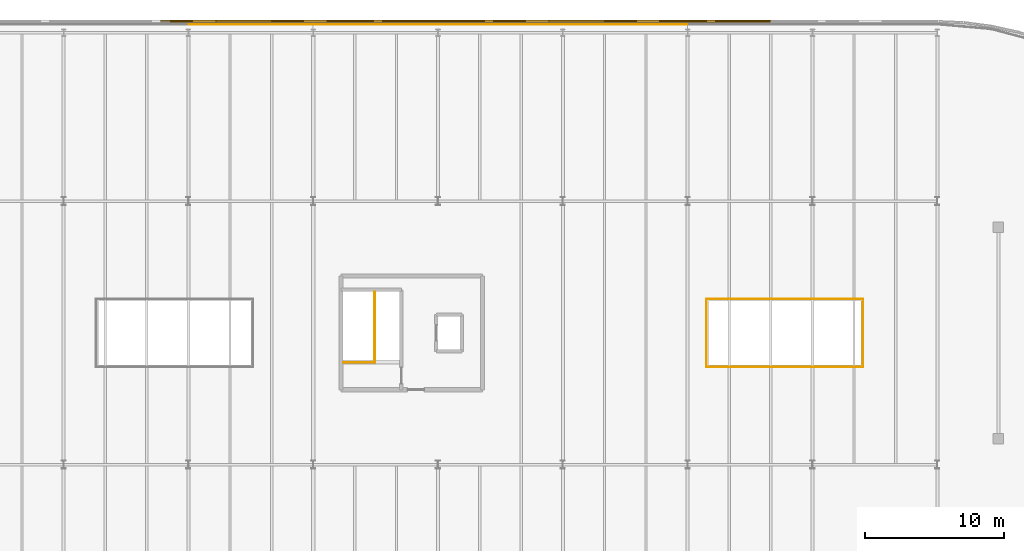
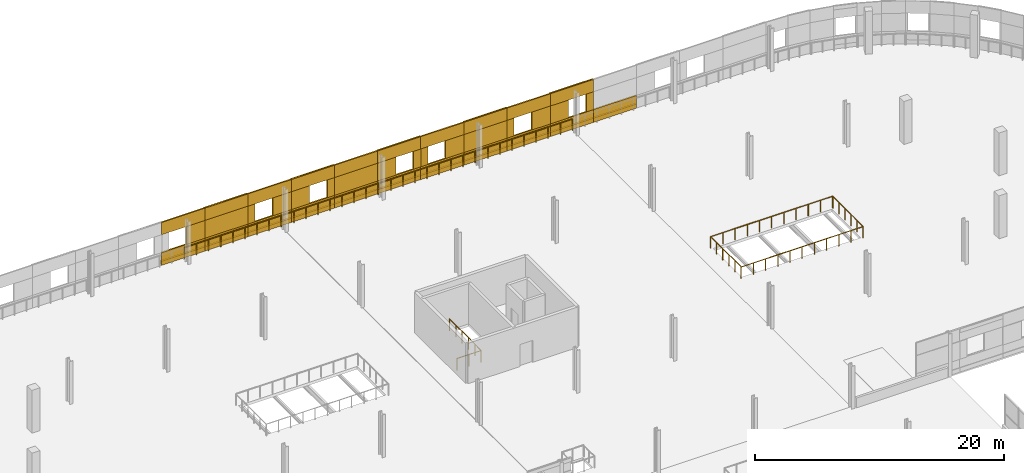
# One storey, part 83 of 88: 53 coverings, 7 railings.
"""IFC4 building model written with IfcOpenShell, lengths in metres."""

from ifc_helpers import new_model, si_unit, direction, frame, origin, origin_2d, place, context, subcontext, project, spatial, rectangle, circle, extrude, material, layer, layer_set, type_object, element, save


model = new_model("IFC4")

# Units and contexts
model_context = context("Model", 3, precision=1e-05, world=origin(), true_north=direction((0.0, 1.0)))
body_context = subcontext(model_context, "Body", "Model", "MODEL_VIEW")
ifc_project = project(units=[si_unit("LENGTHUNIT", "METRE"), si_unit("AREAUNIT", "SQUARE_METRE"), si_unit("VOLUMEUNIT", "CUBIC_METRE"), si_unit("PLANEANGLEUNIT", "RADIAN"), si_unit("MASSUNIT", "GRAM", prefix="KILO")], contexts=[model_context])

# Site, building, storey
site_placement = place(None, origin())
site = spatial("IfcSite", under=ifc_project, at=site_placement, CompositionType="ELEMENT")
building_placement = place(site_placement, origin())
building = spatial("IfcBuilding", under=site, at=building_placement, Name="Deido Ridge Mobility Hub", CompositionType="ELEMENT")
storey_placement = place(building_placement, frame((0.0, 0.0, 16.800048828125)))
storey = spatial("IfcBuildingStorey", under=building, at=storey_placement, Name="L04", CompositionType="ELEMENT", Elevation=16.800048828125)

# Coverings
ifc_material_1 = material(Name="Fired clay brick masonry", Category="masonry")
ifc_layer = layer(ifc_material_1, 0.114990234375, Name="Fired clay brick masonry")
ifc_layer_set = layer_set([ifc_layer], Name="Fired clay brick masonry")
covering_type = type_object("IfcCoveringType", Name="COV-BRK-SCREEN-115", PredefinedType="CLADDING", material=ifc_layer_set)
covering_1_placement = place(storey_placement, frame((103.0, 125.947509765625, 0.0), z_axis=(0.0, 0.0, 1.0), x_axis=(-1.0, 0.0, 0.0)))
element("IfcCovering", 1, at=covering_1_placement, inside=storey, type_object=covering_type, Name="Open brickwork spandrel course BKS1 (L04)", PredefinedType="CLADDING", context=body_context, shape_type="SweptSolid", body=[
    extrude(rectangle(XDim=4.01611328125, YDim=0.125, at=origin_2d()), origin(), (0.0, 0.0, 1.0), 1.25),
])
covering_2_placement = place(storey_placement, frame((103.0, 125.97509765625, 0.0), z_axis=(0.0, 0.0, 1.0), x_axis=(-1.0, 0.0, 0.0)))
element("IfcCovering", 2, at=covering_2_placement, inside=storey, type_object=covering_type, Name="Raised brick relief belt BKS1 (L04)", PredefinedType="CLADDING", context=body_context, shape_type="SweptSolid", body=[
    extrude(rectangle(XDim=4.01611328125, YDim=0.179931640625, at=origin_2d()), origin(), (0.0, 0.0, 1.0), 0.39990234375),
])
covering_3_placement = place(storey_placement, frame((99.0, 125.947509765625, 0.0), z_axis=(0.0, 0.0, 1.0), x_axis=(-1.0, 0.0, 0.0)))
element("IfcCovering", 3, at=covering_3_placement, inside=storey, type_object=covering_type, Name="Open brickwork spandrel course BKS1 (L04)", PredefinedType="CLADDING", context=body_context, shape_type="SweptSolid", body=[
    extrude(rectangle(XDim=4.01611328125, YDim=0.125, at=origin_2d()), origin(), (0.0, 0.0, 1.0), 1.25),
])
covering_4_placement = place(storey_placement, frame((99.0, 125.97509765625, 0.0), z_axis=(0.0, 0.0, 1.0), x_axis=(-1.0, 0.0, 0.0)))
element("IfcCovering", 4, at=covering_4_placement, inside=storey, type_object=covering_type, Name="Raised brick relief belt BKS1 (L04)", PredefinedType="CLADDING", context=body_context, shape_type="SweptSolid", body=[
    extrude(rectangle(XDim=4.01611328125, YDim=0.179931640625, at=origin_2d()), origin(), (0.0, 0.0, 1.0), 0.39990234375),
])
covering_5_placement = place(storey_placement, frame((99.0, 125.947509765625, 3.0), z_axis=(0.0, 0.0, 1.0), x_axis=(-1.0, 0.0, 0.0)))
element("IfcCovering", 5, at=covering_5_placement, inside=storey, type_object=covering_type, Name="Open brickwork lintel course BKS1 (L04)", PredefinedType="CLADDING", context=body_context, shape_type="SweptSolid", body=[
    extrude(rectangle(XDim=4.01611328125, YDim=0.125, at=origin_2d()), origin(), (0.0, 0.0, 1.0), 1.199951171875),
])
covering_6_placement = place(storey_placement, frame((99.0, 125.97509765625, 3.83984375), z_axis=(0.0, 0.0, 1.0), x_axis=(-1.0, 0.0, 0.0)))
element("IfcCovering", 6, at=covering_6_placement, inside=storey, type_object=covering_type, Name="Raised brick relief cornice BKS1 (L04)", PredefinedType="CLADDING", context=body_context, shape_type="SweptSolid", body=[
    extrude(rectangle(XDim=4.01611328125, YDim=0.179931640625, at=origin_2d()), origin(), (0.0, 0.0, 1.0), 0.360107421875),
])
covering_7_placement = place(storey_placement, frame((100.672607421875, 125.97509765625, 1.25), z_axis=(0.0, 0.0, 1.0), x_axis=(-1.0, 0.0, 0.0)))
element("IfcCovering", 7, at=covering_7_placement, inside=storey, type_object=covering_type, Name="Open brickwork pier BKS1 (L04)", PredefinedType="CLADDING", context=body_context, shape_type="SweptSolid", body=[
    extrude(rectangle(XDim=0.655029296875, YDim=0.179931640625, at=origin_2d()), origin(), (0.0, 0.0, 1.0), 1.75),
])
covering_8_placement = place(storey_placement, frame((97.847412109375, 125.947509765625, 1.25), z_axis=(0.0, 0.0, 1.0), x_axis=(-1.0, 0.0, 0.0)))
element("IfcCovering", 8, at=covering_8_placement, inside=storey, type_object=covering_type, Name="Open brickwork pier BKS1 (L04)", PredefinedType="CLADDING", context=body_context, shape_type="SweptSolid", body=[
    extrude(rectangle(XDim=1.695068359375, YDim=0.125, at=origin_2d()), origin(), (0.0, 0.0, 1.0), 1.75),
])
covering_9_placement = place(storey_placement, frame((95.0, 125.947509765625, 0.0), z_axis=(0.0, 0.0, 1.0), x_axis=(-1.0, 0.0, 0.0)))
element("IfcCovering", 9, at=covering_9_placement, inside=storey, type_object=covering_type, Name="Open brickwork spandrel course BKS1 (L04)", PredefinedType="CLADDING", context=body_context, shape_type="SweptSolid", body=[
    extrude(rectangle(XDim=4.01611328125, YDim=0.125, at=origin_2d()), origin(), (0.0, 0.0, 1.0), 1.25),
])
covering_10_placement = place(storey_placement, frame((95.0, 125.97509765625, 0.0), z_axis=(0.0, 0.0, 1.0), x_axis=(-1.0, 0.0, 0.0)))
element("IfcCovering", 10, at=covering_10_placement, inside=storey, type_object=covering_type, Name="Raised brick relief belt BKS1 (L04)", PredefinedType="CLADDING", context=body_context, shape_type="SweptSolid", body=[
    extrude(rectangle(XDim=4.01611328125, YDim=0.179931640625, at=origin_2d()), origin(), (0.0, 0.0, 1.0), 0.39990234375),
])
covering_11_placement = place(storey_placement, frame((95.0, 125.947509765625, 3.0), z_axis=(0.0, 0.0, 1.0), x_axis=(-1.0, 0.0, 0.0)))
element("IfcCovering", 11, at=covering_11_placement, inside=storey, type_object=covering_type, Name="Open brickwork lintel course BKS1 (L04)", PredefinedType="CLADDING", context=body_context, shape_type="SweptSolid", body=[
    extrude(rectangle(XDim=4.01611328125, YDim=0.125, at=origin_2d()), origin(), (0.0, 0.0, 1.0), 1.199951171875),
])
covering_12_placement = place(storey_placement, frame((96.152587890625, 125.97509765625, 1.25), z_axis=(0.0, 0.0, 1.0), x_axis=(-1.0, 0.0, 0.0)))
element("IfcCovering", 12, at=covering_12_placement, inside=storey, type_object=covering_type, Name="Open brickwork pier BKS1 (L04)", PredefinedType="CLADDING", context=body_context, shape_type="SweptSolid", body=[
    extrude(rectangle(XDim=1.695068359375, YDim=0.179931640625, at=origin_2d()), origin(), (0.0, 0.0, 1.0), 1.75),
])
covering_13_placement = place(storey_placement, frame((93.327392578125, 125.947509765625, 1.25), z_axis=(0.0, 0.0, 1.0), x_axis=(-1.0, 0.0, 0.0)))
element("IfcCovering", 13, at=covering_13_placement, inside=storey, type_object=covering_type, Name="Open brickwork pier BKS1 (L04)", PredefinedType="CLADDING", context=body_context, shape_type="SweptSolid", body=[
    extrude(rectangle(XDim=0.655029296875, YDim=0.125, at=origin_2d()), origin(), (0.0, 0.0, 1.0), 1.75),
])
covering_14_placement = place(storey_placement, frame((91.0, 125.947509765625, 0.0), z_axis=(0.0, 0.0, 1.0), x_axis=(-1.0, 0.0, 0.0)))
element("IfcCovering", 14, at=covering_14_placement, inside=storey, type_object=covering_type, Name="Open brickwork spandrel course BKS1 (L04)", PredefinedType="CLADDING", context=body_context, shape_type="SweptSolid", body=[
    extrude(rectangle(XDim=4.01611328125, YDim=0.125, at=origin_2d()), origin(), (0.0, 0.0, 1.0), 1.25),
])
covering_15_placement = place(storey_placement, frame((91.0, 125.97509765625, 0.0), z_axis=(0.0, 0.0, 1.0), x_axis=(-1.0, 0.0, 0.0)))
element("IfcCovering", 15, at=covering_15_placement, inside=storey, type_object=covering_type, Name="Raised brick relief belt BKS1 (L04)", PredefinedType="CLADDING", context=body_context, shape_type="SweptSolid", body=[
    extrude(rectangle(XDim=4.01611328125, YDim=0.179931640625, at=origin_2d()), origin(), (0.0, 0.0, 1.0), 0.39990234375),
])
covering_16_placement = place(storey_placement, frame((91.0, 125.947509765625, 3.0), z_axis=(0.0, 0.0, 1.0), x_axis=(-1.0, 0.0, 0.0)))
element("IfcCovering", 16, at=covering_16_placement, inside=storey, type_object=covering_type, Name="Open brickwork lintel course BKS1 (L04)", PredefinedType="CLADDING", context=body_context, shape_type="SweptSolid", body=[
    extrude(rectangle(XDim=4.01611328125, YDim=0.125, at=origin_2d()), origin(), (0.0, 0.0, 1.0), 1.199951171875),
])
covering_17_placement = place(storey_placement, frame((91.0, 125.97509765625, 3.83984375), z_axis=(0.0, 0.0, 1.0), x_axis=(-1.0, 0.0, 0.0)))
element("IfcCovering", 17, at=covering_17_placement, inside=storey, type_object=covering_type, Name="Raised brick relief cornice BKS1 (L04)", PredefinedType="CLADDING", context=body_context, shape_type="SweptSolid", body=[
    extrude(rectangle(XDim=4.01611328125, YDim=0.179931640625, at=origin_2d()), origin(), (0.0, 0.0, 1.0), 0.360107421875),
])
covering_18_placement = place(storey_placement, frame((91.0, 125.97509765625, 1.25), z_axis=(0.0, 0.0, 1.0), x_axis=(-1.0, 0.0, 0.0)))
element("IfcCovering", 18, at=covering_18_placement, inside=storey, type_object=covering_type, Name="Raised brick relief panel BKS1 (L04)", PredefinedType="CLADDING", context=body_context, shape_type="SweptSolid", body=[
    extrude(rectangle(XDim=4.008056640625, YDim=0.179931640625, at=origin_2d()), origin(), (0.0, 0.0, 1.0), 1.75),
])
covering_19_placement = place(storey_placement, frame((87.0, 125.947509765625, 0.0), z_axis=(0.0, 0.0, 1.0), x_axis=(-1.0, 0.0, 0.0)))
element("IfcCovering", 19, at=covering_19_placement, inside=storey, type_object=covering_type, Name="Open brickwork spandrel course BKS1 (L04)", PredefinedType="CLADDING", context=body_context, shape_type="SweptSolid", body=[
    extrude(rectangle(XDim=4.01611328125, YDim=0.125, at=origin_2d()), origin(), (0.0, 0.0, 1.0), 1.25),
])
covering_20_placement = place(storey_placement, frame((87.0, 125.97509765625, 0.0), z_axis=(0.0, 0.0, 1.0), x_axis=(-1.0, 0.0, 0.0)))
element("IfcCovering", 20, at=covering_20_placement, inside=storey, type_object=covering_type, Name="Raised brick relief belt BKS1 (L04)", PredefinedType="CLADDING", context=body_context, shape_type="SweptSolid", body=[
    extrude(rectangle(XDim=4.01611328125, YDim=0.179931640625, at=origin_2d()), origin(), (0.0, 0.0, 1.0), 0.39990234375),
])
covering_21_placement = place(storey_placement, frame((87.0, 125.947509765625, 3.0), z_axis=(0.0, 0.0, 1.0), x_axis=(-1.0, 0.0, 0.0)))
element("IfcCovering", 21, at=covering_21_placement, inside=storey, type_object=covering_type, Name="Open brickwork lintel course BKS1 (L04)", PredefinedType="CLADDING", context=body_context, shape_type="SweptSolid", body=[
    extrude(rectangle(XDim=4.01611328125, YDim=0.125, at=origin_2d()), origin(), (0.0, 0.0, 1.0), 1.199951171875),
])
covering_22_placement = place(storey_placement, frame((88.152587890625, 125.97509765625, 1.25), z_axis=(0.0, 0.0, 1.0), x_axis=(-1.0, 0.0, 0.0)))
element("IfcCovering", 22, at=covering_22_placement, inside=storey, type_object=covering_type, Name="Open brickwork pier BKS1 (L04)", PredefinedType="CLADDING", context=body_context, shape_type="SweptSolid", body=[
    extrude(rectangle(XDim=1.695068359375, YDim=0.179931640625, at=origin_2d()), origin(), (0.0, 0.0, 1.0), 1.75),
])
covering_23_placement = place(storey_placement, frame((85.327392578125, 125.947509765625, 1.25), z_axis=(0.0, 0.0, 1.0), x_axis=(-1.0, 0.0, 0.0)))
element("IfcCovering", 23, at=covering_23_placement, inside=storey, type_object=covering_type, Name="Open brickwork pier BKS1 (L04)", PredefinedType="CLADDING", context=body_context, shape_type="SweptSolid", body=[
    extrude(rectangle(XDim=0.655029296875, YDim=0.125, at=origin_2d()), origin(), (0.0, 0.0, 1.0), 1.75),
])
covering_24_placement = place(storey_placement, frame((83.0, 125.947509765625, 0.0), z_axis=(0.0, 0.0, 1.0), x_axis=(-1.0, 0.0, 0.0)))
element("IfcCovering", 24, at=covering_24_placement, inside=storey, type_object=covering_type, Name="Open brickwork spandrel course BKS1 (L04)", PredefinedType="CLADDING", context=body_context, shape_type="SweptSolid", body=[
    extrude(rectangle(XDim=4.01611328125, YDim=0.125, at=origin_2d()), origin(), (0.0, 0.0, 1.0), 1.25),
])
covering_25_placement = place(storey_placement, frame((83.0, 125.97509765625, 0.0), z_axis=(0.0, 0.0, 1.0), x_axis=(-1.0, 0.0, 0.0)))
element("IfcCovering", 25, at=covering_25_placement, inside=storey, type_object=covering_type, Name="Raised brick relief belt BKS1 (L04)", PredefinedType="CLADDING", context=body_context, shape_type="SweptSolid", body=[
    extrude(rectangle(XDim=4.01611328125, YDim=0.179931640625, at=origin_2d()), origin(), (0.0, 0.0, 1.0), 0.39990234375),
])
covering_26_placement = place(storey_placement, frame((83.0, 125.947509765625, 3.0), z_axis=(0.0, 0.0, 1.0), x_axis=(-1.0, 0.0, 0.0)))
element("IfcCovering", 26, at=covering_26_placement, inside=storey, type_object=covering_type, Name="Open brickwork lintel course BKS1 (L04)", PredefinedType="CLADDING", context=body_context, shape_type="SweptSolid", body=[
    extrude(rectangle(XDim=4.01611328125, YDim=0.125, at=origin_2d()), origin(), (0.0, 0.0, 1.0), 1.199951171875),
])
covering_27_placement = place(storey_placement, frame((83.0, 125.97509765625, 3.83984375), z_axis=(0.0, 0.0, 1.0), x_axis=(-1.0, 0.0, 0.0)))
element("IfcCovering", 27, at=covering_27_placement, inside=storey, type_object=covering_type, Name="Raised brick relief cornice BKS1 (L04)", PredefinedType="CLADDING", context=body_context, shape_type="SweptSolid", body=[
    extrude(rectangle(XDim=4.01611328125, YDim=0.179931640625, at=origin_2d()), origin(), (0.0, 0.0, 1.0), 0.360107421875),
])
covering_28_placement = place(storey_placement, frame((84.672607421875, 125.97509765625, 1.25), z_axis=(0.0, 0.0, 1.0), x_axis=(-1.0, 0.0, 0.0)))
element("IfcCovering", 28, at=covering_28_placement, inside=storey, type_object=covering_type, Name="Open brickwork pier BKS1 (L04)", PredefinedType="CLADDING", context=body_context, shape_type="SweptSolid", body=[
    extrude(rectangle(XDim=0.655029296875, YDim=0.179931640625, at=origin_2d()), origin(), (0.0, 0.0, 1.0), 1.75),
])
covering_29_placement = place(storey_placement, frame((81.847412109375, 125.947509765625, 1.25), z_axis=(0.0, 0.0, 1.0), x_axis=(-1.0, 0.0, 0.0)))
element("IfcCovering", 29, at=covering_29_placement, inside=storey, type_object=covering_type, Name="Open brickwork pier BKS1 (L04)", PredefinedType="CLADDING", context=body_context, shape_type="SweptSolid", body=[
    extrude(rectangle(XDim=1.695068359375, YDim=0.125, at=origin_2d()), origin(), (0.0, 0.0, 1.0), 1.75),
])
covering_30_placement = place(storey_placement, frame((79.0, 125.947509765625, 0.0), z_axis=(0.0, 0.0, 1.0), x_axis=(-1.0, 0.0, 0.0)))
element("IfcCovering", 30, at=covering_30_placement, inside=storey, type_object=covering_type, Name="Open brickwork spandrel course BKS1 (L04)", PredefinedType="CLADDING", context=body_context, shape_type="SweptSolid", body=[
    extrude(rectangle(XDim=4.01611328125, YDim=0.125, at=origin_2d()), origin(), (0.0, 0.0, 1.0), 1.25),
])
covering_31_placement = place(storey_placement, frame((79.0, 125.97509765625, 0.0), z_axis=(0.0, 0.0, 1.0), x_axis=(-1.0, 0.0, 0.0)))
element("IfcCovering", 31, at=covering_31_placement, inside=storey, type_object=covering_type, Name="Raised brick relief belt BKS1 (L04)", PredefinedType="CLADDING", context=body_context, shape_type="SweptSolid", body=[
    extrude(rectangle(XDim=4.01611328125, YDim=0.179931640625, at=origin_2d()), origin(), (0.0, 0.0, 1.0), 0.39990234375),
])
covering_32_placement = place(storey_placement, frame((79.0, 125.947509765625, 3.0), z_axis=(0.0, 0.0, 1.0), x_axis=(-1.0, 0.0, 0.0)))
element("IfcCovering", 32, at=covering_32_placement, inside=storey, type_object=covering_type, Name="Open brickwork lintel course BKS1 (L04)", PredefinedType="CLADDING", context=body_context, shape_type="SweptSolid", body=[
    extrude(rectangle(XDim=4.01611328125, YDim=0.125, at=origin_2d()), origin(), (0.0, 0.0, 1.0), 1.199951171875),
])
covering_33_placement = place(storey_placement, frame((79.0, 125.97509765625, 1.25), z_axis=(0.0, 0.0, 1.0), x_axis=(-1.0, 0.0, 0.0)))
element("IfcCovering", 33, at=covering_33_placement, inside=storey, type_object=covering_type, Name="Raised brick relief panel BKS1 (L04)", PredefinedType="CLADDING", context=body_context, shape_type="SweptSolid", body=[
    extrude(rectangle(XDim=4.008056640625, YDim=0.179931640625, at=origin_2d()), origin(), (0.0, 0.0, 1.0), 1.75),
])
covering_34_placement = place(storey_placement, frame((75.0, 125.947509765625, 0.0), z_axis=(0.0, 0.0, 1.0), x_axis=(-1.0, 0.0, 0.0)))
element("IfcCovering", 34, at=covering_34_placement, inside=storey, type_object=covering_type, Name="Open brickwork spandrel course BKS1 (L04)", PredefinedType="CLADDING", context=body_context, shape_type="SweptSolid", body=[
    extrude(rectangle(XDim=4.01611328125, YDim=0.125, at=origin_2d()), origin(), (0.0, 0.0, 1.0), 1.25),
])
covering_35_placement = place(storey_placement, frame((75.0, 125.97509765625, 0.0), z_axis=(0.0, 0.0, 1.0), x_axis=(-1.0, 0.0, 0.0)))
element("IfcCovering", 35, at=covering_35_placement, inside=storey, type_object=covering_type, Name="Raised brick relief belt BKS1 (L04)", PredefinedType="CLADDING", context=body_context, shape_type="SweptSolid", body=[
    extrude(rectangle(XDim=4.01611328125, YDim=0.179931640625, at=origin_2d()), origin(), (0.0, 0.0, 1.0), 0.39990234375),
])
covering_36_placement = place(storey_placement, frame((75.0, 125.947509765625, 3.0), z_axis=(0.0, 0.0, 1.0), x_axis=(-1.0, 0.0, 0.0)))
element("IfcCovering", 36, at=covering_36_placement, inside=storey, type_object=covering_type, Name="Open brickwork lintel course BKS1 (L04)", PredefinedType="CLADDING", context=body_context, shape_type="SweptSolid", body=[
    extrude(rectangle(XDim=4.01611328125, YDim=0.125, at=origin_2d()), origin(), (0.0, 0.0, 1.0), 1.199951171875),
])
covering_37_placement = place(storey_placement, frame((75.0, 125.97509765625, 3.83984375), z_axis=(0.0, 0.0, 1.0), x_axis=(-1.0, 0.0, 0.0)))
element("IfcCovering", 37, at=covering_37_placement, inside=storey, type_object=covering_type, Name="Raised brick relief cornice BKS1 (L04)", PredefinedType="CLADDING", context=body_context, shape_type="SweptSolid", body=[
    extrude(rectangle(XDim=4.01611328125, YDim=0.179931640625, at=origin_2d()), origin(), (0.0, 0.0, 1.0), 0.360107421875),
])
covering_38_placement = place(storey_placement, frame((76.672607421875, 125.97509765625, 1.25), z_axis=(0.0, 0.0, 1.0), x_axis=(-1.0, 0.0, 0.0)))
element("IfcCovering", 38, at=covering_38_placement, inside=storey, type_object=covering_type, Name="Open brickwork pier BKS1 (L04)", PredefinedType="CLADDING", context=body_context, shape_type="SweptSolid", body=[
    extrude(rectangle(XDim=0.655029296875, YDim=0.179931640625, at=origin_2d()), origin(), (0.0, 0.0, 1.0), 1.75),
])
covering_39_placement = place(storey_placement, frame((73.847412109375, 125.947509765625, 1.25), z_axis=(0.0, 0.0, 1.0), x_axis=(-1.0, 0.0, 0.0)))
element("IfcCovering", 39, at=covering_39_placement, inside=storey, type_object=covering_type, Name="Open brickwork pier BKS1 (L04)", PredefinedType="CLADDING", context=body_context, shape_type="SweptSolid", body=[
    extrude(rectangle(XDim=1.695068359375, YDim=0.125, at=origin_2d()), origin(), (0.0, 0.0, 1.0), 1.75),
])
covering_40_placement = place(storey_placement, frame((71.0, 125.947509765625, 0.0), z_axis=(0.0, 0.0, 1.0), x_axis=(-1.0, 0.0, 0.0)))
element("IfcCovering", 40, at=covering_40_placement, inside=storey, type_object=covering_type, Name="Open brickwork spandrel course BKS1 (L04)", PredefinedType="CLADDING", context=body_context, shape_type="SweptSolid", body=[
    extrude(rectangle(XDim=4.01611328125, YDim=0.125, at=origin_2d()), origin(), (0.0, 0.0, 1.0), 1.25),
])
covering_41_placement = place(storey_placement, frame((71.0, 125.97509765625, 0.0), z_axis=(0.0, 0.0, 1.0), x_axis=(-1.0, 0.0, 0.0)))
element("IfcCovering", 41, at=covering_41_placement, inside=storey, type_object=covering_type, Name="Raised brick relief belt BKS1 (L04)", PredefinedType="CLADDING", context=body_context, shape_type="SweptSolid", body=[
    extrude(rectangle(XDim=4.01611328125, YDim=0.179931640625, at=origin_2d()), origin(), (0.0, 0.0, 1.0), 0.39990234375),
])
covering_42_placement = place(storey_placement, frame((71.0, 125.947509765625, 3.0), z_axis=(0.0, 0.0, 1.0), x_axis=(-1.0, 0.0, 0.0)))
element("IfcCovering", 42, at=covering_42_placement, inside=storey, type_object=covering_type, Name="Open brickwork lintel course BKS1 (L04)", PredefinedType="CLADDING", context=body_context, shape_type="SweptSolid", body=[
    extrude(rectangle(XDim=4.01611328125, YDim=0.125, at=origin_2d()), origin(), (0.0, 0.0, 1.0), 1.199951171875),
])
covering_43_placement = place(storey_placement, frame((72.152587890625, 125.97509765625, 1.25), z_axis=(0.0, 0.0, 1.0), x_axis=(-1.0, 0.0, 0.0)))
element("IfcCovering", 43, at=covering_43_placement, inside=storey, type_object=covering_type, Name="Open brickwork pier BKS1 (L04)", PredefinedType="CLADDING", context=body_context, shape_type="SweptSolid", body=[
    extrude(rectangle(XDim=1.695068359375, YDim=0.179931640625, at=origin_2d()), origin(), (0.0, 0.0, 1.0), 1.75),
])
covering_44_placement = place(storey_placement, frame((69.327392578125, 125.947509765625, 1.25), z_axis=(0.0, 0.0, 1.0), x_axis=(-1.0, 0.0, 0.0)))
element("IfcCovering", 44, at=covering_44_placement, inside=storey, type_object=covering_type, Name="Open brickwork pier BKS1 (L04)", PredefinedType="CLADDING", context=body_context, shape_type="SweptSolid", body=[
    extrude(rectangle(XDim=0.655029296875, YDim=0.125, at=origin_2d()), origin(), (0.0, 0.0, 1.0), 1.75),
])
covering_45_placement = place(storey_placement, frame((67.0, 125.947509765625, 0.0), z_axis=(0.0, 0.0, 1.0), x_axis=(-1.0, 0.0, 0.0)))
element("IfcCovering", 45, at=covering_45_placement, inside=storey, type_object=covering_type, Name="Open brickwork spandrel course BKS1 (L04)", PredefinedType="CLADDING", context=body_context, shape_type="SweptSolid", body=[
    extrude(rectangle(XDim=4.01611328125, YDim=0.125, at=origin_2d()), origin(), (0.0, 0.0, 1.0), 1.25),
])
covering_46_placement = place(storey_placement, frame((67.0, 125.97509765625, 0.0), z_axis=(0.0, 0.0, 1.0), x_axis=(-1.0, 0.0, 0.0)))
element("IfcCovering", 46, at=covering_46_placement, inside=storey, type_object=covering_type, Name="Raised brick relief belt BKS1 (L04)", PredefinedType="CLADDING", context=body_context, shape_type="SweptSolid", body=[
    extrude(rectangle(XDim=4.01611328125, YDim=0.179931640625, at=origin_2d()), origin(), (0.0, 0.0, 1.0), 0.39990234375),
])
covering_47_placement = place(storey_placement, frame((67.0, 125.947509765625, 3.0), z_axis=(0.0, 0.0, 1.0), x_axis=(-1.0, 0.0, 0.0)))
element("IfcCovering", 47, at=covering_47_placement, inside=storey, type_object=covering_type, Name="Open brickwork lintel course BKS1 (L04)", PredefinedType="CLADDING", context=body_context, shape_type="SweptSolid", body=[
    extrude(rectangle(XDim=4.01611328125, YDim=0.125, at=origin_2d()), origin(), (0.0, 0.0, 1.0), 1.199951171875),
])
covering_48_placement = place(storey_placement, frame((67.0, 125.97509765625, 3.83984375), z_axis=(0.0, 0.0, 1.0), x_axis=(-1.0, 0.0, 0.0)))
element("IfcCovering", 48, at=covering_48_placement, inside=storey, type_object=covering_type, Name="Raised brick relief cornice BKS1 (L04)", PredefinedType="CLADDING", context=body_context, shape_type="SweptSolid", body=[
    extrude(rectangle(XDim=4.01611328125, YDim=0.179931640625, at=origin_2d()), origin(), (0.0, 0.0, 1.0), 0.360107421875),
])
covering_49_placement = place(storey_placement, frame((67.0, 125.97509765625, 1.25), z_axis=(0.0, 0.0, 1.0), x_axis=(-1.0, 0.0, 0.0)))
element("IfcCovering", 49, at=covering_49_placement, inside=storey, type_object=covering_type, Name="Raised brick relief panel BKS1 (L04)", PredefinedType="CLADDING", context=body_context, shape_type="SweptSolid", body=[
    extrude(rectangle(XDim=4.008056640625, YDim=0.179931640625, at=origin_2d()), origin(), (0.0, 0.0, 1.0), 1.75),
])
covering_50_placement = place(storey_placement, frame((63.0, 125.947509765625, 0.0), z_axis=(0.0, 0.0, 1.0), x_axis=(-1.0, 0.0, 0.0)))
element("IfcCovering", 50, at=covering_50_placement, inside=storey, type_object=covering_type, Name="Open brickwork spandrel course BKS1 (L04)", PredefinedType="CLADDING", context=body_context, shape_type="SweptSolid", body=[
    extrude(rectangle(XDim=4.01611328125, YDim=0.125, at=origin_2d()), origin(), (0.0, 0.0, 1.0), 1.25),
])
covering_51_placement = place(storey_placement, frame((63.0, 125.97509765625, 0.0), z_axis=(0.0, 0.0, 1.0), x_axis=(-1.0, 0.0, 0.0)))
element("IfcCovering", 51, at=covering_51_placement, inside=storey, type_object=covering_type, Name="Raised brick relief belt BKS1 (L04)", PredefinedType="CLADDING", context=body_context, shape_type="SweptSolid", body=[
    extrude(rectangle(XDim=4.01611328125, YDim=0.179931640625, at=origin_2d()), origin(), (0.0, 0.0, 1.0), 0.39990234375),
])
covering_52_placement = place(storey_placement, frame((63.0, 125.947509765625, 3.0), z_axis=(0.0, 0.0, 1.0), x_axis=(-1.0, 0.0, 0.0)))
element("IfcCovering", 52, at=covering_52_placement, inside=storey, type_object=covering_type, Name="Open brickwork lintel course BKS1 (L04)", PredefinedType="CLADDING", context=body_context, shape_type="SweptSolid", body=[
    extrude(rectangle(XDim=4.01611328125, YDim=0.125, at=origin_2d()), origin(), (0.0, 0.0, 1.0), 1.199951171875),
])
covering_53_placement = place(storey_placement, frame((64.152587890625, 125.97509765625, 1.25), z_axis=(0.0, 0.0, 1.0), x_axis=(-1.0, 0.0, 0.0)))
element("IfcCovering", 53, at=covering_53_placement, inside=storey, type_object=covering_type, Name="Open brickwork pier BKS1 (L04)", PredefinedType="CLADDING", context=body_context, shape_type="SweptSolid", body=[
    extrude(rectangle(XDim=1.695068359375, YDim=0.179931640625, at=origin_2d()), origin(), (0.0, 0.0, 1.0), 1.75),
])

# Railings
ifc_material_2 = material(Name="Galvanised steel work", Category="steel")
railing_type_1 = type_object("IfcRailingType", Name="RL-GRD-EXT-1150", PredefinedType="GUARDRAIL", material=ifc_material_2)
for number, where, name in (
    (54, (98.9599609375, 125.75, 0.0), "Parking drum perimeter guard (L04)"),
    (55, (89.9599609375, 125.75, 0.0), "Parking drum perimeter guard (L04)"),
    (56, (80.9599609375, 125.75, 0.0), "Parking drum perimeter guard (L04)"),
    (57, (71.9599609375, 125.75, 0.0), "Parking drum perimeter guard (L04)"),
):
    element("IfcRailing", number, at=place(storey_placement, frame(where)), inside=storey, type_object=railing_type_1, Name=name, PredefinedType="GUARDRAIL", context=body_context, shape_type="SweptSolid", body=[
        extrude(circle(Radius=0.02392578125, at=origin_2d()), frame((0.0, 0.0, 1.1259765625), z_axis=(-1.0, 0.0, 0.0), x_axis=(0.0, -1.0, 0.0)), (0.0, 0.0, 1.0), 8.919921875),
        extrude(circle(Radius=0.02099609375, at=origin_2d()), origin(), (0.0, 0.0, 1.0), 1.101806640625),
        extrude(circle(Radius=0.02099609375, at=origin_2d()), frame((-1.114990234375, 0.0, 0.0)), (0.0, 0.0, 1.0), 1.101806640625),
        extrude(circle(Radius=0.02099609375, at=origin_2d()), frame((-2.22998046875, 0.0, 0.0)), (0.0, 0.0, 1.0), 1.101806640625),
        extrude(circle(Radius=0.02099609375, at=origin_2d()), frame((-3.344970703125, 0.0, 0.0)), (0.0, 0.0, 1.0), 1.101806640625),
        extrude(circle(Radius=0.02099609375, at=origin_2d()), frame((-4.4599609375, 0.0, 0.0)), (0.0, 0.0, 1.0), 1.101806640625),
        extrude(circle(Radius=0.02099609375, at=origin_2d()), frame((-5.574951171875, 0.0, 0.0)), (0.0, 0.0, 1.0), 1.101806640625),
        extrude(circle(Radius=0.02099609375, at=origin_2d()), frame((-6.68994140625, 0.0, 0.0)), (0.0, 0.0, 1.0), 1.101806640625),
        extrude(circle(Radius=0.02099609375, at=origin_2d()), frame((-7.804931640625, 0.0, 0.0)), (0.0, 0.0, 1.0), 1.101806640625),
        extrude(circle(Radius=0.02099609375, at=origin_2d()), frame((-8.919921875, 0.0, 0.0)), (0.0, 0.0, 1.0), 1.101806640625),
    ])
railing_1_placement = place(storey_placement, frame((100.35009765625, 101.050048828125, 0.0)))
element("IfcRailing", 58, at=railing_1_placement, inside=storey, type_object=railing_type_1, Name="Parking east lightwell guard (L04) A", PredefinedType="GUARDRAIL", context=body_context, shape_type="SweptSolid", body=[
    extrude(circle(Radius=0.02392578125, at=origin_2d()), frame((0.0, 0.0, 1.1259765625), z_axis=(1.0, 0.0, 0.0), x_axis=(0.0, 1.0, 0.0)), (0.0, 0.0, 1.0), 11.2998046875),
    extrude(circle(Radius=0.02392578125, at=origin_2d()), frame((11.2998046875, 0.0, 1.1259765625), z_axis=(0.0, 1.0, 0.0), x_axis=(-1.0, 0.0, 0.0)), (0.0, 0.0, 1.0), 4.83984375),
    extrude(circle(Radius=0.02099609375, at=origin_2d()), origin(), (0.0, 0.0, 1.0), 1.101806640625),
    extrude(circle(Radius=0.02099609375, at=origin_2d()), frame((1.1298828125, 0.0, 0.0)), (0.0, 0.0, 1.0), 1.101806640625),
    extrude(circle(Radius=0.02099609375, at=origin_2d()), frame((2.260009765625, 0.0, 0.0)), (0.0, 0.0, 1.0), 1.101806640625),
    extrude(circle(Radius=0.02099609375, at=origin_2d()), frame((3.389892578125, 0.0, 0.0)), (0.0, 0.0, 1.0), 1.101806640625),
    extrude(circle(Radius=0.02099609375, at=origin_2d()), frame((4.52001953125, 0.0, 0.0)), (0.0, 0.0, 1.0), 1.101806640625),
    extrude(circle(Radius=0.02099609375, at=origin_2d()), frame((5.64990234375, 0.0, 0.0)), (0.0, 0.0, 1.0), 1.101806640625),
    extrude(circle(Radius=0.02099609375, at=origin_2d()), frame((6.77978515625, 0.0, 0.0)), (0.0, 0.0, 1.0), 1.101806640625),
    extrude(circle(Radius=0.02099609375, at=origin_2d()), frame((7.909912109375, 0.0, 0.0)), (0.0, 0.0, 1.0), 1.101806640625),
    extrude(circle(Radius=0.02099609375, at=origin_2d()), frame((9.039794921875, 0.0, 0.0)), (0.0, 0.0, 1.0), 1.101806640625),
    extrude(circle(Radius=0.02099609375, at=origin_2d()), frame((10.169921875, 0.0, 0.0)), (0.0, 0.0, 1.0), 1.101806640625),
    extrude(circle(Radius=0.02099609375, at=origin_2d()), frame((11.2998046875, 0.0, 0.0)), (0.0, 0.0, 1.0), 1.101806640625),
    extrude(circle(Radius=0.02099609375, at=origin_2d()), frame((11.2998046875, 0.968017578125, 0.0)), (0.0, 0.0, 1.0), 1.101806640625),
    extrude(circle(Radius=0.02099609375, at=origin_2d()), frame((11.2998046875, 1.93603515625, 0.0)), (0.0, 0.0, 1.0), 1.101806640625),
    extrude(circle(Radius=0.02099609375, at=origin_2d()), frame((11.2998046875, 2.90380859375, 0.0)), (0.0, 0.0, 1.0), 1.101806640625),
    extrude(circle(Radius=0.02099609375, at=origin_2d()), frame((11.2998046875, 3.871826171875, 0.0)), (0.0, 0.0, 1.0), 1.101806640625),
    extrude(circle(Radius=0.02099609375, at=origin_2d()), frame((11.2998046875, 4.83984375, 0.0)), (0.0, 0.0, 1.0), 1.101806640625),
])
railing_2_placement = place(storey_placement, frame((111.64990234375, 105.949951171875, 0.0)))
element("IfcRailing", 59, at=railing_2_placement, inside=storey, type_object=railing_type_1, Name="Parking east lightwell guard (L04) B", PredefinedType="GUARDRAIL", context=body_context, shape_type="SweptSolid", body=[
    extrude(circle(Radius=0.02392578125, at=origin_2d()), frame((0.0, 0.0, 1.1259765625), z_axis=(-1.0, 0.0, 0.0), x_axis=(0.0, -1.0, 0.0)), (0.0, 0.0, 1.0), 11.2998046875),
    extrude(circle(Radius=0.02392578125, at=origin_2d()), frame((-11.2998046875, 0.0, 1.1259765625), z_axis=(0.0, -1.0, 0.0), x_axis=(1.0, 0.0, 0.0)), (0.0, 0.0, 1.0), 4.83984375),
    extrude(circle(Radius=0.02099609375, at=origin_2d()), origin(), (0.0, 0.0, 1.0), 1.101806640625),
    extrude(circle(Radius=0.02099609375, at=origin_2d()), frame((-1.1298828125, 0.0, 0.0)), (0.0, 0.0, 1.0), 1.101806640625),
    extrude(circle(Radius=0.02099609375, at=origin_2d()), frame((-2.260009765625, 0.0, 0.0)), (0.0, 0.0, 1.0), 1.101806640625),
    extrude(circle(Radius=0.02099609375, at=origin_2d()), frame((-3.389892578125, 0.0, 0.0)), (0.0, 0.0, 1.0), 1.101806640625),
    extrude(circle(Radius=0.02099609375, at=origin_2d()), frame((-4.52001953125, 0.0, 0.0)), (0.0, 0.0, 1.0), 1.101806640625),
    extrude(circle(Radius=0.02099609375, at=origin_2d()), frame((-5.64990234375, 0.0, 0.0)), (0.0, 0.0, 1.0), 1.101806640625),
    extrude(circle(Radius=0.02099609375, at=origin_2d()), frame((-6.77978515625, 0.0, 0.0)), (0.0, 0.0, 1.0), 1.101806640625),
    extrude(circle(Radius=0.02099609375, at=origin_2d()), frame((-7.909912109375, 0.0, 0.0)), (0.0, 0.0, 1.0), 1.101806640625),
    extrude(circle(Radius=0.02099609375, at=origin_2d()), frame((-9.039794921875, 0.0, 0.0)), (0.0, 0.0, 1.0), 1.101806640625),
    extrude(circle(Radius=0.02099609375, at=origin_2d()), frame((-10.169921875, 0.0, 0.0)), (0.0, 0.0, 1.0), 1.101806640625),
    extrude(circle(Radius=0.02099609375, at=origin_2d()), frame((-11.2998046875, 0.0, 0.0)), (0.0, 0.0, 1.0), 1.101806640625),
    extrude(circle(Radius=0.02099609375, at=origin_2d()), frame((-11.2998046875, -0.968017578125, 0.0)), (0.0, 0.0, 1.0), 1.101806640625),
    extrude(circle(Radius=0.02099609375, at=origin_2d()), frame((-11.2998046875, -1.93603515625, 0.0)), (0.0, 0.0, 1.0), 1.101806640625),
    extrude(circle(Radius=0.02099609375, at=origin_2d()), frame((-11.2998046875, -2.90380859375, 0.0)), (0.0, 0.0, 1.0), 1.101806640625),
    extrude(circle(Radius=0.02099609375, at=origin_2d()), frame((-11.2998046875, -3.871826171875, 0.0)), (0.0, 0.0, 1.0), 1.101806640625),
    extrude(circle(Radius=0.02099609375, at=origin_2d()), frame((-11.2998046875, -4.83984375, 0.0)), (0.0, 0.0, 1.0), 1.101806640625),
])
railing_type_2 = type_object("IfcRailingType", Name="RL-STAIR-GRD-1150", PredefinedType="GUARDRAIL", material=ifc_material_2)
railing_3_placement = place(storey_placement, frame((74.179931640625, 101.360107421875, 0.0)))
element("IfcRailing", 60, at=railing_3_placement, inside=storey, type_object=railing_type_2, Name="ST5 top landing well guard (L04)", PredefinedType="GUARDRAIL", context=body_context, shape_type="SweptSolid", body=[
    extrude(circle(Radius=0.02392578125, at=origin_2d()), frame((0.0, 0.0, 1.1259765625), z_axis=(1.0, 0.0, 0.0), x_axis=(0.0, 1.0, 0.0)), (0.0, 0.0, 1.0), 2.260009765625),
    extrude(circle(Radius=0.02392578125, at=origin_2d()), frame((2.260009765625, 0.0, 1.1259765625), z_axis=(0.0, 1.0, 0.0), x_axis=(-1.0, 0.0, 0.0)), (0.0, 0.0, 1.0), 5.099853515625),
    extrude(circle(Radius=0.02099609375, at=origin_2d()), origin(), (0.0, 0.0, 1.0), 1.101806640625),
    extrude(circle(Radius=0.02099609375, at=origin_2d()), frame((1.1298828125, 0.0, 0.0)), (0.0, 0.0, 1.0), 1.101806640625),
    extrude(circle(Radius=0.02099609375, at=origin_2d()), frame((2.260009765625, 0.0, 0.0)), (0.0, 0.0, 1.0), 1.101806640625),
    extrude(circle(Radius=0.02099609375, at=origin_2d()), frame((2.260009765625, 1.02001953125, 0.0)), (0.0, 0.0, 1.0), 1.101806640625),
    extrude(circle(Radius=0.02099609375, at=origin_2d()), frame((2.260009765625, 2.0400390625, 0.0)), (0.0, 0.0, 1.0), 1.101806640625),
    extrude(circle(Radius=0.02099609375, at=origin_2d()), frame((2.260009765625, 3.059814453125, 0.0)), (0.0, 0.0, 1.0), 1.101806640625),
    extrude(circle(Radius=0.02099609375, at=origin_2d()), frame((2.260009765625, 4.079833984375, 0.0)), (0.0, 0.0, 1.0), 1.101806640625),
    extrude(circle(Radius=0.02099609375, at=origin_2d()), frame((2.260009765625, 5.099853515625, 0.0)), (0.0, 0.0, 1.0), 1.101806640625),
])

save(model, "model.ifc")
